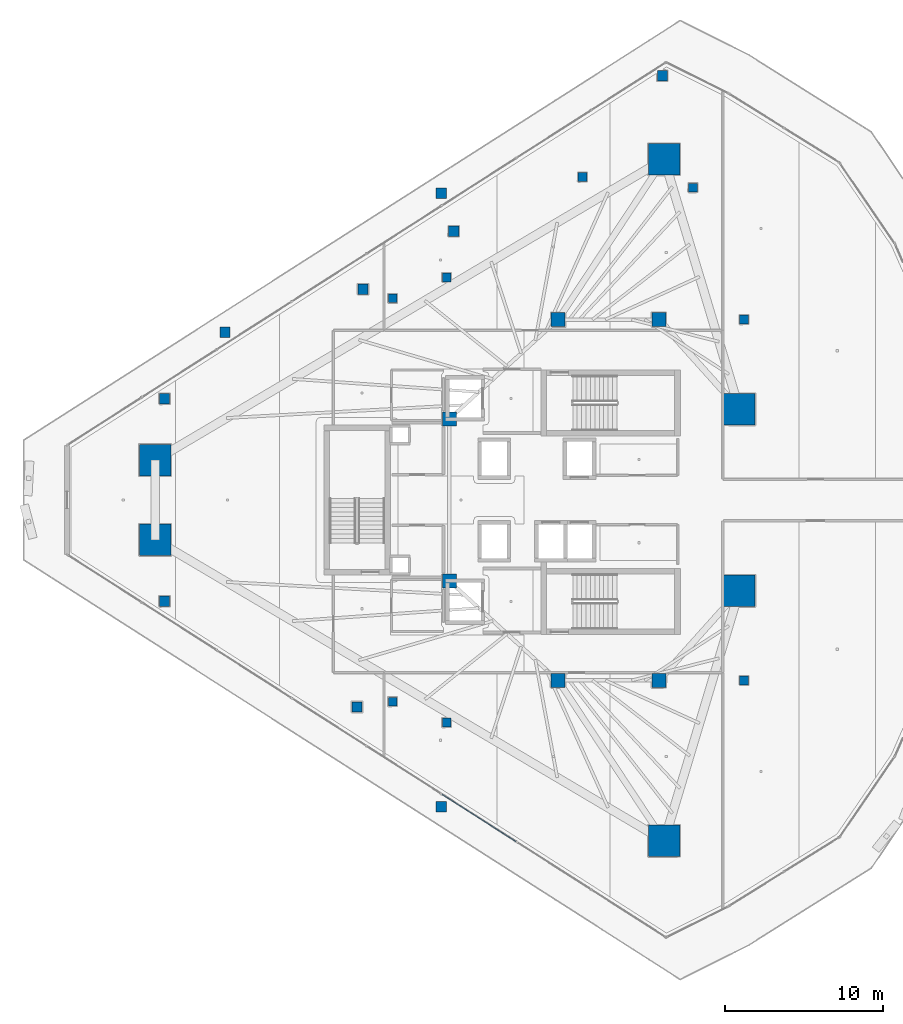
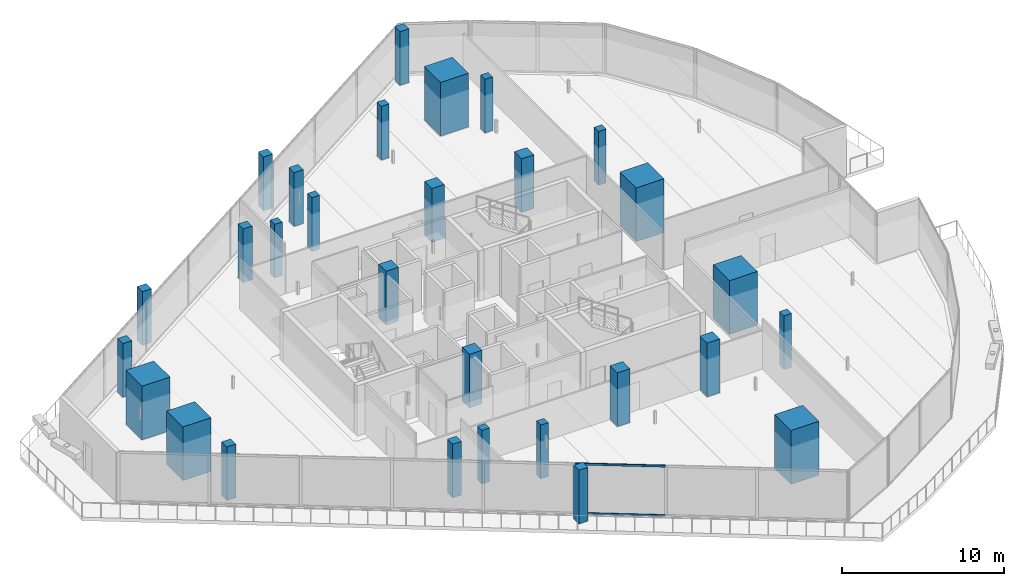
# One storey, part 1 of 36: 29 columns, 2 members, 1 element without a shape of its own.
"""IFC4 building model written with IfcOpenShell, lengths in metres."""

from ifc_helpers import new_model, si_unit, direction, frame, origin, origin_2d, place, context, subcontext, project, spatial, rectangle, hollow_rectangle, extrude, material, layer, layer_set, material_profile, profile_set, type_object, element, aggregate, save


model = new_model("IFC4")

# Units and contexts
model_context = context("Model", 3, precision=1e-05, world=origin(), true_north=direction((0.0, 1.0)))
body_context = subcontext(model_context, "Body", "Model", "MODEL_VIEW")
ifc_project = project(units=[si_unit("LENGTHUNIT", "METRE"), si_unit("AREAUNIT", "SQUARE_METRE"), si_unit("VOLUMEUNIT", "CUBIC_METRE"), si_unit("PLANEANGLEUNIT", "RADIAN"), si_unit("MASSUNIT", "GRAM", prefix="KILO")], contexts=[model_context])

# Site, building, storey
site_placement = place(None, origin())
site = spatial("IfcSite", under=ifc_project, at=site_placement, CompositionType="ELEMENT")
building_placement = place(site_placement, origin())
building = spatial("IfcBuilding", under=site, at=building_placement, Name="Qorvath Tower", CompositionType="ELEMENT")
storey_placement = place(building_placement, frame((0.0, 0.0, 192.89990234375)))
storey = spatial("IfcBuildingStorey", under=building, at=storey_placement, Name="L44", CompositionType="ELEMENT", Elevation=192.89990234375)

# Columns
ifc_material_1 = material(Name="Concrete C60/75", Category="concrete")
ifc_material_profile_1 = material_profile(ifc_material_1, rectangle(XDim=2.0, YDim=2.0, at=origin_2d()), Name="MC 2000x2000")
ifc_profile_set_1 = profile_set([ifc_material_profile_1], Name="Concrete C60/75")
column_type_1 = type_object("IfcColumnType", Name="COL-MC3", PredefinedType="COLUMN", material=ifc_profile_set_1)
for number, where, z_axis, x_axis, name in (
    (1, (-49.171875, 2.52783203125, 0.0), (0.0, 0.0, 1.0), (1.0, 0.0, 0.0), "Composite Mega-Column MC1 L44"),
    (2, (-49.171875, -2.52783203125, 0.0), (0.0, 0.0, 1.0), (1.0, 0.0, 0.0), "Composite Mega-Column MC2 L44"),
    (3, (-16.87158203125, -21.627197265625, 0.0), (0.0, 0.0, 1.0), (1.0, 0.0, 0.0), "Composite Mega-Column MC3 L44"),
    (4, (-12.0966796875, -5.7578125, 0.0), (0.0, 0.0, 1.0), (1.0, 0.0, 0.0), "Composite Mega-Column MC4 L44"),
    (5, (-12.0966796875, 5.7578125, 0.0), (0.0, 0.0, 1.0), (1.0, 0.0, 0.0), "Composite Mega-Column MC5 L44"),
    (6, (-16.87158203125, 21.627197265625, 0.0), (0.0, 0.0, 1.0), (1.0, 0.0, 0.0), "Composite Mega-Column MC6 L44"),
):
    element("IfcColumn", number, at=place(storey_placement, frame(where, z_axis=z_axis, x_axis=x_axis)), inside=storey, type_object=column_type_1, Name=name, PredefinedType="COLUMN", context=body_context, shape_type="SweptSolid", body=[
        extrude(rectangle(XDim=2.0, YDim=2.0, at=origin_2d()), origin(), (0.0, 0.0, 1.0), 4.050048828125),
    ])
ifc_material_2 = material(Name="Concrete C50/60", Category="concrete")
ifc_material_profile_2 = material_profile(ifc_material_2, rectangle(XDim=0.89990234375, YDim=0.89990234375, at=origin_2d()), Name="RC 900x900")
ifc_profile_set_2 = profile_set([ifc_material_profile_2], Name="Concrete C50/60")
column_type_2 = type_object("IfcColumnType", Name="COL-RC3", PredefinedType="COLUMN", material=ifc_profile_set_2)
for number, where, z_axis, x_axis, name in (
    (7, (-23.60009765625, 11.449951171875, 0.0), (0.0, 0.0, 1.0), (1.0, 0.0, 0.0), "Core Spine Column CC1 L44"),
    (8, (-17.199951171875, 11.449951171875, 0.0), (0.0, 0.0, 1.0), (1.0, 0.0, 0.0), "Core Spine Column CC2 L44"),
    (9, (-17.199951171875, -11.449951171875, 0.0), (0.0, 0.0, 1.0), (1.0, 0.0, 0.0), "Core Spine Column CC3 L44"),
    (10, (-23.60009765625, -11.449951171875, 0.0), (0.0, 0.0, 1.0), (1.0, 0.0, 0.0), "Core Spine Column CC4 L44"),
    (11, (-30.5, 5.14990234375, 0.0), (0.0, 0.0, 1.0), (1.0, 0.0, 0.0), "Core Spine Column CC5 L44"),
    (12, (-30.5, -5.14990234375, 0.0), (0.0, 0.0, 1.0), (1.0, 0.0, 0.0), "Core Spine Column CC6 L44"),
):
    element("IfcColumn", number, at=place(storey_placement, frame(where, z_axis=z_axis, x_axis=x_axis)), inside=storey, type_object=column_type_2, Name=name, PredefinedType="COLUMN", context=body_context, shape_type="SweptSolid", body=[
        extrude(rectangle(XDim=0.89990234375, YDim=0.89990234375, at=origin_2d()), origin(), (0.0, 0.0, 1.0), 4.050048828125),
    ])
ifc_material_3 = material(Name="Concrete C45/55", Category="concrete")
ifc_material_profile_3 = material_profile(ifc_material_3, rectangle(XDim=0.64990234375, YDim=0.64990234375, at=origin_2d()), Name="RC 650x650")
ifc_profile_set_3 = profile_set([ifc_material_profile_3], Name="Concrete C45/55")
column_type_3 = type_object("IfcColumnType", Name="COL-RC6", PredefinedType="COLUMN", material=ifc_profile_set_3)
for number, where, z_axis, x_axis, name in (
    (13, (-31.01611328125, 19.46044921875, 0.0), (0.0, 0.0, 1.0), (1.0, 0.0, 0.0), "Loggia Frame Pier Column LGD1 L44"),
    (14, (-31.01611328125, -19.46044921875, 0.0), (0.0, 0.0, 1.0), (1.0, 0.0, 0.0), "Loggia Frame Pier Column LGD2 L44"),
    (15, (-44.736328125, 10.65234375, 0.0), (0.0, 0.0, 1.0), (1.0, 0.0, 0.0), "Loggia Frame Pier Column LGD3 L44"),
    (16, (-48.578369140625, 6.424560546875, 0.0), (0.0, 0.0, 1.0), (1.0, 0.0, 0.0), "Loggia Frame Pier Column LGE1 L44"),
    (17, (-48.578369140625, -6.424560546875, 0.0), (0.0, 0.0, 1.0), (1.0, 0.0, 0.0), "Loggia Frame Pier Column LGE2 L44"),
    (18, (-16.981201171875, 26.92919921875, 0.0), (0.0, 0.0, 1.0), (1.0, 0.0, 0.0), "Loggia Frame Pier Column LGE3 L44"),
    (19, (-35.980712890625, 13.380859375, 0.0), (0.0, 0.0, 1.0), (1.0, 0.0, 0.0), "Loggia Frame Pier Column LGF1 L44"),
    (20, (-36.36474609375, -13.135498046875, 0.0), (0.0, 0.0, 1.0), (1.0, 0.0, 0.0), "Loggia Frame Pier Column LGF2 L44"),
    (21, (-30.224853515625, 17.0595703125, 0.0), (0.0, 0.0, 1.0), (1.0, 0.0, 0.0), "Loggia Frame Pier Column LGF3 L44"),
):
    element("IfcColumn", number, at=place(storey_placement, frame(where, z_axis=z_axis, x_axis=x_axis)), inside=storey, type_object=column_type_3, Name=name, PredefinedType="COLUMN", context=body_context, shape_type="SweptSolid", body=[
        extrude(rectangle(XDim=0.64990234375, YDim=0.64990234375, at=origin_2d()), origin(), (0.0, 0.0, 1.0), 4.050048828125),
    ])
ifc_material_4 = material(Name="Concrete C45/55", Category="concrete")
ifc_material_profile_4 = material_profile(ifc_material_4, rectangle(XDim=0.550048828125, YDim=0.550048828125, at=origin_2d()), Name="RC 550x550")
ifc_profile_set_4 = profile_set([ifc_material_profile_4], Name="Concrete C45/55")
column_type_4 = type_object("IfcColumnType", Name="COL-RC7", PredefinedType="COLUMN", material=ifc_profile_set_4)
for number, where, z_axis, x_axis, name in (
    (22, (-34.104248046875, 12.79248046875, 0.0), (0.0, 0.0, 1.0), (1.0, 0.0, 0.0), "Loggia Frame Pier Column LGG1 L44"),
    (23, (-34.104248046875, -12.79248046875, 0.0), (0.0, 0.0, 1.0), (1.0, 0.0, 0.0), "Loggia Frame Pier Column LGG2 L44"),
    (24, (-22.05322265625, 20.494873046875, 0.0), (0.0, 0.0, 1.0), (1.0, 0.0, 0.0), "Loggia Frame Pier Column LGG3 L44"),
    (25, (-30.67724609375, 14.124267578125, 0.0), (0.0, 0.0, 1.0), (1.0, 0.0, 0.0), "Loggia Frame Pier Column LGH1 L44"),
    (26, (-30.67724609375, -14.124267578125, 0.0), (0.0, 0.0, 1.0), (1.0, 0.0, 0.0), "Loggia Frame Pier Column LGH2 L44"),
    (27, (-15.046142578125, 19.818115234375, 0.0), (0.0, 0.0, 1.0), (1.0, 0.0, 0.0), "Loggia Frame Pier Column LGH3 L44"),
    (28, (-11.800048828125, -11.449951171875, 0.0), (0.0, 0.0, 1.0), (1.0, 0.0, 0.0), "Central Slot Jamb Column SC1 L44"),
    (29, (-11.800048828125, 11.449951171875, 0.0), (0.0, 0.0, 1.0), (1.0, 0.0, 0.0), "Central Slot Jamb Column SC2 L44"),
):
    element("IfcColumn", number, at=place(storey_placement, frame(where, z_axis=z_axis, x_axis=x_axis)), inside=storey, type_object=column_type_4, Name=name, PredefinedType="COLUMN", context=body_context, shape_type="SweptSolid", body=[
        extrude(rectangle(XDim=0.550048828125, YDim=0.550048828125, at=origin_2d()), origin(), (0.0, 0.0, 1.0), 4.050048828125),
    ])

# Curtain wall, members
ifc_material_5 = material(Name="Anodised aluminium and triple low-E glass", Category="aluminium")
ifc_layer = layer(ifc_material_5, 0.179931640625)
ifc_layer_set = layer_set([ifc_layer], Name="CW-SYS-3")
curtain_wall_type = type_object("IfcCurtainWallType", Name="CW-SYS-3", PredefinedType="NOTDEFINED", material=ifc_layer_set)
curtain_wall_placement = place(storey_placement, origin())
curtain_wall = element("IfcCurtainWall", 30, at=curtain_wall_placement, inside=storey, type_object=curtain_wall_type, Name="Curtain Wall CW-3 CW-T-L44-2.1", PredefinedType="NOTDEFINED")
ifc_material_6 = material(Name="Anodised aluminium 6063-T6", Category="aluminium")
ifc_material_profile_5 = material_profile(ifc_material_6, hollow_rectangle(XDim=0.06494140625, YDim=0.159912109375, WallThickness=0.00341796875, InnerFilletRadius=0.00341796875, OuterFilletRadius=0.007080078125, at=origin_2d()), Name="CWT 160x65")
ifc_profile_set_5 = profile_set([ifc_material_profile_5], Name="Anodised aluminium 6063-T6")
member_type = type_object("IfcMemberType", Name="CWT-160", PredefinedType="USERDEFINED", material=ifc_profile_set_5)
member_1_placement = place(storey_placement, frame((-30.972900390625, -18.67626953125, 0.032470703125), z_axis=(0.842606844645, -0.538529205667, 0.0), x_axis=(0.538529205667, 0.842606844645, 0.0)))
member_1 = element("IfcMember", 31, at=member_1_placement, type_object=member_type, Name="CW-3 transom 6.1", ObjectType="TRANSOM", PredefinedType="USERDEFINED", context=body_context, shape_type="SweptSolid", body=[
    extrude(hollow_rectangle(XDim=0.06494140625, YDim=0.159912109375, WallThickness=0.00341796875, InnerFilletRadius=0.00341796875, OuterFilletRadius=0.007080078125, at=origin_2d()), origin(), (0.0, 0.0, 1.0), 5.5751953125),
])
member_2_placement = place(storey_placement, frame((-30.972900390625, -18.67626953125, 3.74755859375), z_axis=(0.842606844645, -0.538529205667, 0.0), x_axis=(0.538529205667, 0.842606844645, 0.0)))
member_2 = element("IfcMember", 32, at=member_2_placement, type_object=member_type, Name="CW-3 transom 6.2", ObjectType="TRANSOM", PredefinedType="USERDEFINED", context=body_context, shape_type="SweptSolid", body=[
    extrude(hollow_rectangle(XDim=0.06494140625, YDim=0.159912109375, WallThickness=0.00341796875, InnerFilletRadius=0.00341796875, OuterFilletRadius=0.007080078125, at=origin_2d()), origin(), (0.0, 0.0, 1.0), 5.5751953125),
])
aggregate(curtain_wall, [member_1, member_2])

save(model, "model.ifc")
